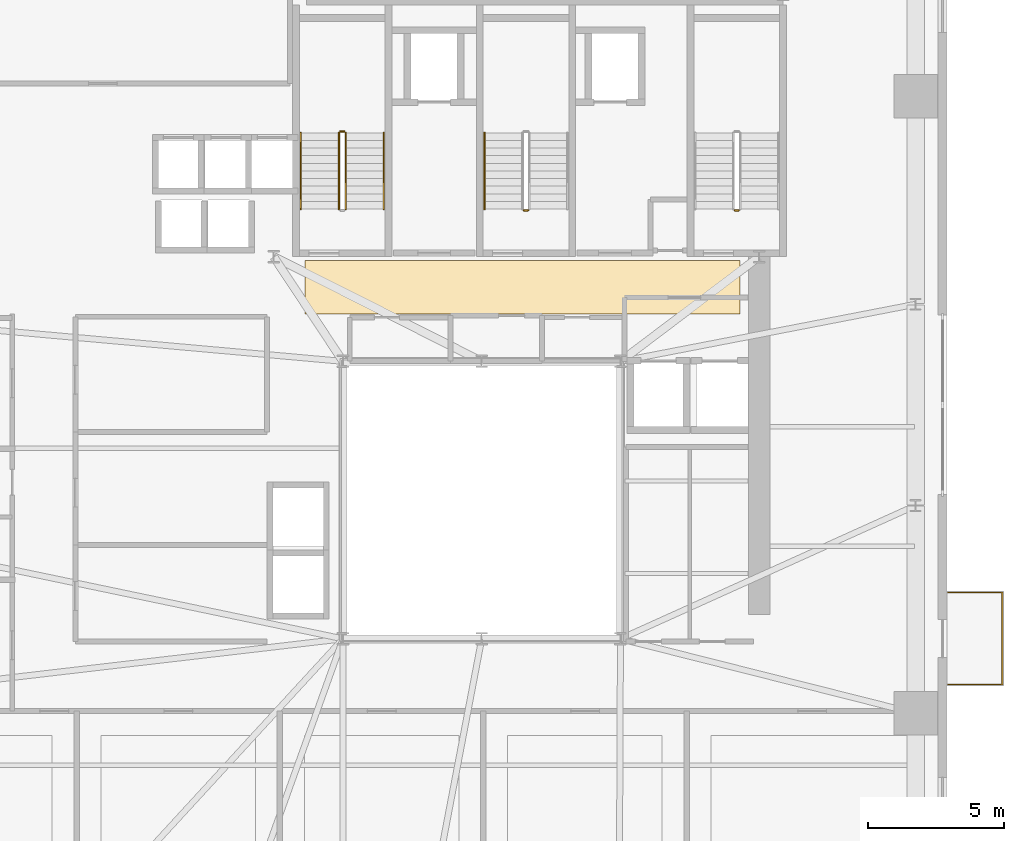
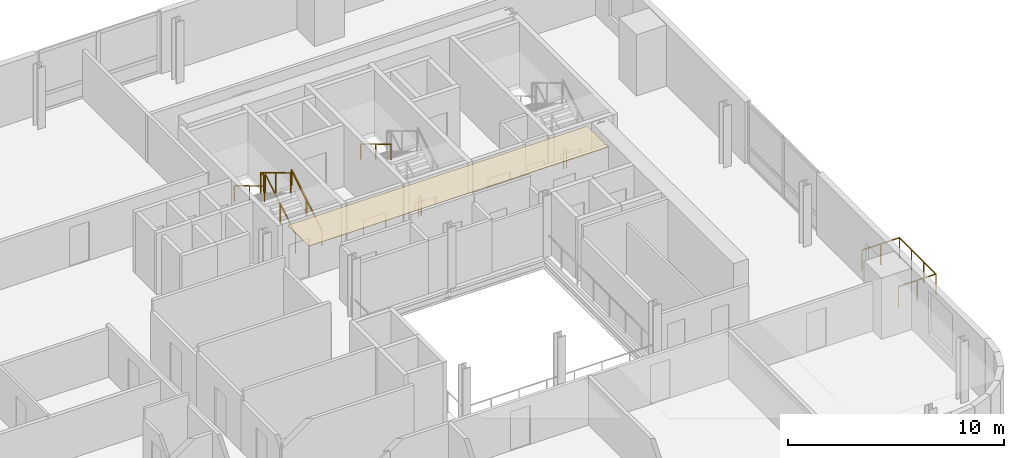
# One storey, part 12 of 13: 9 railings, 1 covering.
"""IFC4 building model written with IfcOpenShell, lengths in metres."""

from ifc_helpers import new_model, si_unit, direction, frame, origin, origin_2d, place, context, subcontext, project, spatial, polyline, rectangle, outline, extrude, source, transform, mapped, material, layer, layer_set, type_object, element, save


model = new_model("IFC4")

# Units and contexts
model_context = context("Model", 3, precision=1e-05, world=origin(), true_north=direction((0.0, 1.0)))
body_context = subcontext(model_context, "Body", "Model", "MODEL_VIEW")
ifc_project = project(units=[si_unit("LENGTHUNIT", "METRE"), si_unit("AREAUNIT", "SQUARE_METRE"), si_unit("VOLUMEUNIT", "CUBIC_METRE"), si_unit("PLANEANGLEUNIT", "RADIAN"), si_unit("MASSUNIT", "GRAM", prefix="KILO")], contexts=[model_context])

# Site, building, storey
site_placement = place(None, origin())
site = spatial("IfcSite", under=ifc_project, at=site_placement, CompositionType="ELEMENT")
building_placement = place(site_placement, origin())
building = spatial("IfcBuilding", under=site, at=building_placement, Name="Vardaveli Station Tower", CompositionType="ELEMENT")
storey_placement = place(building_placement, frame((0.0, 0.0, 115.0)))
storey = spatial("IfcBuildingStorey", under=building, at=storey_placement, Name="L29", CompositionType="ELEMENT", Elevation=115.0)

# Covering
ifc_material_1 = material(Name="Perforated acoustic mineral ceiling")
ifc_layer = layer(ifc_material_1, 0.02001953125, Name="Perforated acoustic mineral ceiling")
ifc_layer_set = layer_set([ifc_layer], Name="Perforated acoustic mineral ceiling")
covering_type = type_object("IfcCoveringType", Name="COV-CEIL-AC20", PredefinedType="CEILING", material=ifc_layer_set)
covering_placement = place(storey_placement, frame((0.0, 0.0, 3.445068359375)))
element("IfcCovering", 1, at=covering_placement, inside=storey, type_object=covering_type, Name="CEIL-L29-6", PredefinedType="CEILING", context=body_context, shape_type="SweptSolid", body=[
    extrude(outline(polyline([(29.800048828125, 28.550048828125), (45.800048828125, 28.550048828125), (45.800048828125, 30.5), (29.800048828125, 30.5), (29.800048828125, 28.550048828125)])), origin(), (0.0, 0.0, 1.0), 0.02001953125),
])

# Railings
ifc_material_2 = material(Name="Laminated glass and stainless steel balustrade", Category="steel")
railing_type_1 = type_object("IfcRailingType", Name="RL-BAL-1200", PredefinedType="BALUSTRADE", material=ifc_material_2)
shared_shape_1 = source(origin(), body_context, "Body", "SweptSolid", [
    extrude(rectangle(XDim=0.048095703125, YDim=0.048095703125, at=origin_2d()), frame((0.0, 0.0, 1.17578125), z_axis=(1.0, 0.0, 0.0), x_axis=(0.0, 1.0, 0.0)), (0.0, 0.0, 1.0), 2.0),
    extrude(rectangle(XDim=0.048095703125, YDim=0.048095703125, at=origin_2d()), frame((2.0, 0.0, 1.17578125), z_axis=(0.0, 1.0, 0.0), x_axis=(-1.0, 0.0, 0.0)), (0.0, 0.0, 1.0), 3.3798828125),
    extrude(rectangle(XDim=0.048095703125, YDim=0.048095703125, at=origin_2d()), frame((2.0, 3.3798828125, 1.17578125), z_axis=(-1.0, 0.0, 0.0), x_axis=(0.0, -1.0, 0.0)), (0.0, 0.0, 1.0), 2.0),
    extrude(rectangle(XDim=0.0419921875, YDim=0.0419921875, at=origin_2d()), origin(), (0.0, 0.0, 1.0), 1.15185546875),
    extrude(rectangle(XDim=0.0419921875, YDim=0.0419921875, at=origin_2d()), frame((1.0, 0.0, 0.0)), (0.0, 0.0, 1.0), 1.15185546875),
    extrude(rectangle(XDim=0.0419921875, YDim=0.0419921875, at=origin_2d()), frame((2.0, 0.0, 0.0)), (0.0, 0.0, 1.0), 1.15185546875),
    extrude(rectangle(XDim=0.0419921875, YDim=0.0419921875, at=origin_2d()), frame((2.0, 1.126708984375, 0.0)), (0.0, 0.0, 1.0), 1.15185546875),
    extrude(rectangle(XDim=0.0419921875, YDim=0.0419921875, at=origin_2d()), frame((2.0, 2.253173828125, 0.0)), (0.0, 0.0, 1.0), 1.15185546875),
    extrude(rectangle(XDim=0.0419921875, YDim=0.0419921875, at=origin_2d()), frame((2.0, 3.3798828125, 0.0)), (0.0, 0.0, 1.0), 1.15185546875),
    extrude(rectangle(XDim=0.0419921875, YDim=0.0419921875, at=origin_2d()), frame((1.0, 3.3798828125, 0.0)), (0.0, 0.0, 1.0), 1.15185546875),
    extrude(rectangle(XDim=0.0419921875, YDim=0.0419921875, at=origin_2d()), frame((0.0, 3.3798828125, 0.0)), (0.0, 0.0, 1.0), 1.15185546875),
])
railing_1_placement = place(storey_placement, frame((53.43994140625, 14.92041015625, 0.0)))
element("IfcRailing", 2, at=railing_1_placement, inside=storey, type_object=railing_type_1, Name="RL-LOG-L29-04", PredefinedType="BALUSTRADE", context=body_context, shape_type="MappedRepresentation", body=[
    mapped(shared_shape_1, transform((0.0, 0.0, 0.0), scale=1.0)),
])
ifc_material_3 = material(Name="Brushed AISI 316 stainless steel", Category="steel")
railing_type_2 = type_object("IfcRailingType", Name="RL-GUARD-1150", PredefinedType="GUARDRAIL", material=ifc_material_3)
shared_shape_2 = source(origin(), body_context, "Body", "SweptSolid", [
    extrude(rectangle(XDim=0.048095703125, YDim=0.048095703125, at=origin_2d()), frame((0.0, 0.0, 1.1259765625), z_axis=(-1.0, 0.0, 0.0), x_axis=(0.0, -1.0, 0.0)), (0.0, 0.0, 1.0), 0.14990234375),
    extrude(rectangle(XDim=0.0419921875, YDim=0.0419921875, at=origin_2d()), origin(), (0.0, 0.0, 1.0), 1.101806640625),
    extrude(rectangle(XDim=0.0419921875, YDim=0.0419921875, at=origin_2d()), frame((-0.14990234375, 0.0, 0.0)), (0.0, 0.0, 1.0), 1.101806640625),
])
for number, where, name in (
    (3, (31.25, 35.25, 1.85009765625), "L29 ST-1 stair guard 2"),
    (4, (38.0, 32.35009765625, 0.0), "L29 ST-2 stair guard 4"),
    (5, (45.75, 32.35009765625, 0.0), "L29 ST-3 stair guard 4"),
):
    element("IfcRailing", number, at=place(storey_placement, frame(where)), inside=storey, type_object=railing_type_2, Name=name, PredefinedType="GUARDRAIL", context=body_context, shape_type="MappedRepresentation", body=[
        mapped(shared_shape_2, transform((0.0, 0.0, 0.0), scale=1.0)),
    ])
shared_shape_3 = source(origin(), body_context, "Body", "SweptSolid", [
    extrude(rectangle(XDim=0.048095703125, YDim=0.048095703125, at=origin_2d()), frame((0.0, 0.0, 1.1259765625), z_axis=(0.0, -0.857242210791, 0.514913383045), x_axis=(1.0, 0.0, 0.0)), (0.0, 0.0, 1.0), 3.266357421875),
    extrude(rectangle(XDim=0.0419921875, YDim=0.0419921875, at=origin_2d()), origin(), (0.0, 0.0, 1.0), 1.101806640625),
    extrude(rectangle(XDim=0.0419921875, YDim=0.0419921875, at=origin_2d()), frame((0.0, -1.39990234375, 0.8408203125)), (0.0, 0.0, 1.0), 1.101806640625),
    extrude(rectangle(XDim=0.0419921875, YDim=0.0419921875, at=origin_2d()), frame((0.0, -2.800048828125, 1.681884765625)), (0.0, 0.0, 1.0), 1.101806640625),
])
railing_2_placement = place(storey_placement, frame((31.050048828125, 35.199951171875, 2.01806640625)))
element("IfcRailing", 6, at=railing_2_placement, inside=storey, type_object=railing_type_2, Name="L29 ST-1 stair guard 3", PredefinedType="GUARDRAIL", context=body_context, shape_type="MappedRepresentation", body=[
    mapped(shared_shape_3, transform((0.0, 0.0, 0.0), scale=1.0)),
])
railing_type_3 = type_object("IfcRailingType", Name="RL-HAND-900", PredefinedType="HANDRAIL", material=ifc_material_3)
shared_shape_4 = source(origin(), body_context, "Body", "SweptSolid", [
    extrude(rectangle(XDim=0.048095703125, YDim=0.048095703125, at=origin_2d()), frame((0.0, 0.0, 0.8759765625), z_axis=(0.0, -0.857242210791, 0.514913383045), x_axis=(1.0, 0.0, 0.0)), (0.0, 0.0, 1.0), 3.266357421875),
    extrude(rectangle(XDim=0.0419921875, YDim=0.0419921875, at=origin_2d()), origin(), (0.0, 0.0, 1.0), 0.851806640625),
    extrude(rectangle(XDim=0.0419921875, YDim=0.0419921875, at=origin_2d()), frame((0.0, -1.39990234375, 0.8408203125)), (0.0, 0.0, 1.0), 0.851806640625),
    extrude(rectangle(XDim=0.0419921875, YDim=0.0419921875, at=origin_2d()), frame((0.0, -2.800048828125, 1.681884765625)), (0.0, 0.0, 1.0), 0.851806640625),
])
for number, where, name in (
    (7, (29.64990234375, 35.199951171875, 2.01806640625), "L29 ST-1 stair handrail 2"),
    (8, (36.39990234375, 35.199951171875, 2.01806640625), "L29 ST-2 stair handrail 2"),
):
    element("IfcRailing", number, at=place(storey_placement, frame(where)), inside=storey, type_object=railing_type_3, Name=name, PredefinedType="HANDRAIL", context=body_context, shape_type="MappedRepresentation", body=[
        mapped(shared_shape_4, transform((0.0, 0.0, 0.0), scale=1.0)),
    ])
shared_shape_5 = source(origin(), body_context, "Body", "SweptSolid", [
    extrude(rectangle(XDim=0.048095703125, YDim=0.048095703125, at=origin_2d()), frame((0.0, 0.0, 1.1259765625), z_axis=(0.0, 0.857242210791, 0.514913383045), x_axis=(-1.0, 0.0, 0.0)), (0.0, 0.0, 1.0), 3.266357421875),
    extrude(rectangle(XDim=0.0419921875, YDim=0.0419921875, at=origin_2d()), origin(), (0.0, 0.0, 1.0), 1.101806640625),
    extrude(rectangle(XDim=0.0419921875, YDim=0.0419921875, at=origin_2d()), frame((0.0, 1.39990234375, 0.8408203125)), (0.0, 0.0, 1.0), 1.101806640625),
    extrude(rectangle(XDim=0.0419921875, YDim=0.0419921875, at=origin_2d()), frame((0.0, 2.800048828125, 1.681884765625)), (0.0, 0.0, 1.0), 1.101806640625),
])
railing_3_placement = place(storey_placement, frame((31.300048828125, 32.39990234375, 0.168212890625)))
element("IfcRailing", 9, at=railing_3_placement, inside=storey, type_object=railing_type_2, Name="L29 ST-1 stair guard 1", PredefinedType="GUARDRAIL", context=body_context, shape_type="MappedRepresentation", body=[
    mapped(shared_shape_5, transform((0.0, 0.0, 0.0), scale=1.0)),
])
shared_shape_6 = source(origin(), body_context, "Body", "SweptSolid", [
    extrude(rectangle(XDim=0.048095703125, YDim=0.048095703125, at=origin_2d()), frame((0.0, 0.0, 0.8759765625), z_axis=(0.0, 0.857242210791, 0.514913383045), x_axis=(-1.0, 0.0, 0.0)), (0.0, 0.0, 1.0), 3.266357421875),
    extrude(rectangle(XDim=0.0419921875, YDim=0.0419921875, at=origin_2d()), origin(), (0.0, 0.0, 1.0), 0.851806640625),
    extrude(rectangle(XDim=0.0419921875, YDim=0.0419921875, at=origin_2d()), frame((0.0, 1.39990234375, 0.8408203125)), (0.0, 0.0, 1.0), 0.851806640625),
    extrude(rectangle(XDim=0.0419921875, YDim=0.0419921875, at=origin_2d()), frame((0.0, 2.800048828125, 1.681884765625)), (0.0, 0.0, 1.0), 0.851806640625),
])
railing_4_placement = place(storey_placement, frame((32.699951171875, 32.39990234375, 0.168212890625)))
element("IfcRailing", 10, at=railing_4_placement, inside=storey, type_object=railing_type_3, Name="L29 ST-1 stair handrail 1", PredefinedType="HANDRAIL", context=body_context, shape_type="MappedRepresentation", body=[
    mapped(shared_shape_6, transform((0.0, 0.0, 0.0), scale=1.0)),
])

save(model, "model.ifc")
